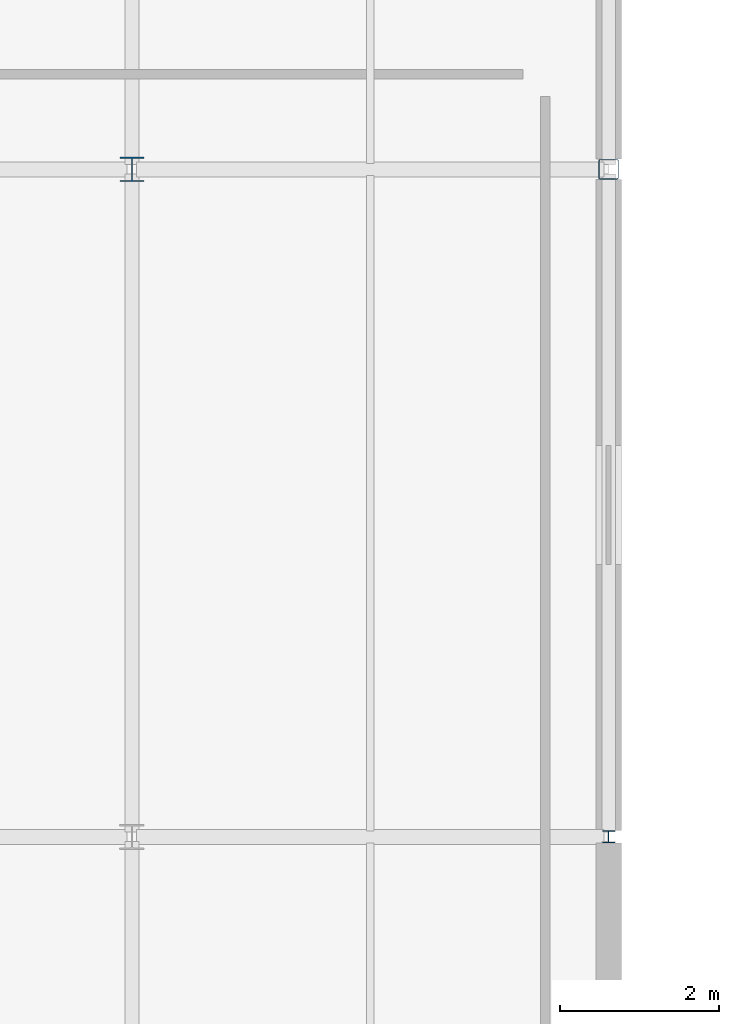
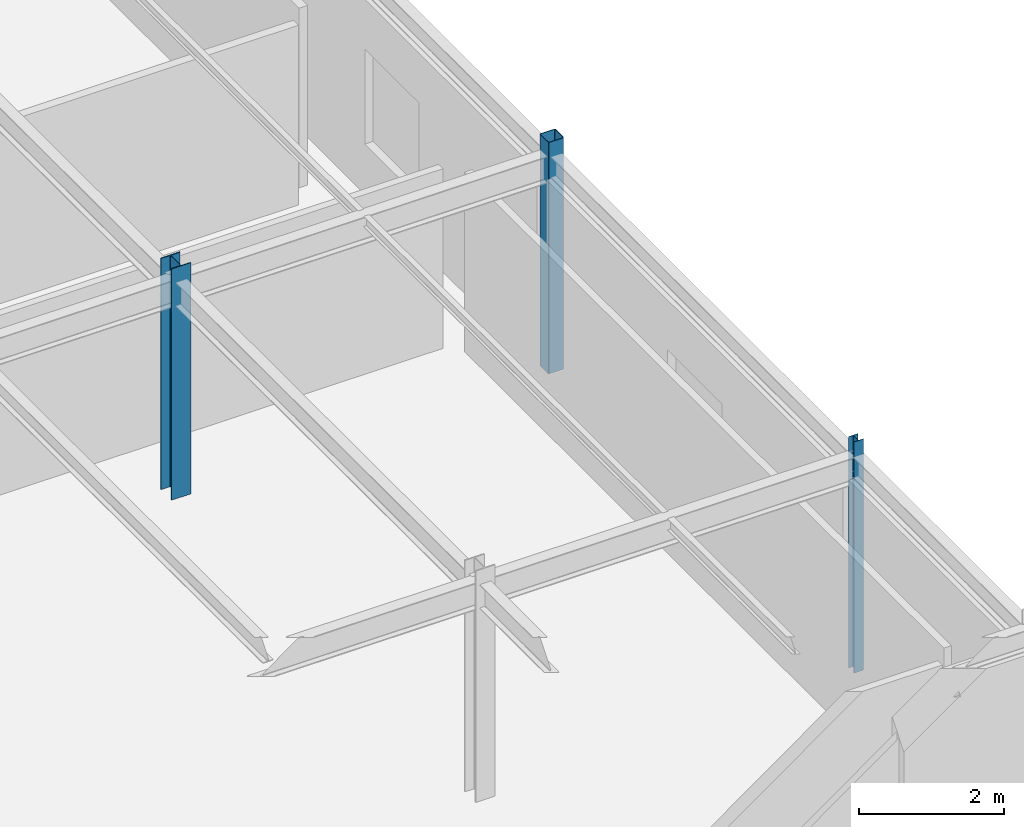
# One storey, part 34 of 98: 3 columns.
"""IFC4 building model written with IfcOpenShell, lengths in metres."""

from ifc_helpers import new_model, si_unit, derived_unit, direction, frame, origin, origin_2d_with_axis, place, context, subcontext, project, spatial, hollow_rectangle, i_section, extrude, material, material_profile, profile_set, type_object, element, save


model = new_model("IFC4")

# Units and contexts
model_context = context("Model", 3, precision=1e-05, world=origin(), true_north=direction((0.0, 1.0)))
body_context = subcontext(model_context, "Body", "Model", "MODEL_VIEW")
ifc_project = project(units=[si_unit("LENGTHUNIT", "METRE"), si_unit("AREAUNIT", "SQUARE_METRE"), si_unit("VOLUMEUNIT", "CUBIC_METRE"), si_unit("PLANEANGLEUNIT", "RADIAN"), si_unit("MASSUNIT", "GRAM", prefix="KILO"), derived_unit("THERMALTRANSMITTANCEUNIT", [(si_unit("POWERUNIT", "WATT"), 1), (si_unit("LENGTHUNIT", "METRE"), -2), (si_unit("THERMODYNAMICTEMPERATUREUNIT", "KELVIN"), -1)])], contexts=[model_context])

# Site, building, storey
site_placement = place(None, origin())
site = spatial("IfcSite", under=ifc_project, at=site_placement, CompositionType="ELEMENT")
building_placement = place(site_placement, origin())
building = spatial("IfcBuilding", under=site, at=building_placement, Name="Cinnabar Yard Market Hall", CompositionType="ELEMENT")
storey_placement = place(building_placement, frame((0.0, 0.0, 4.5)))
storey = spatial("IfcBuildingStorey", under=building, at=storey_placement, Name="L01", CompositionType="ELEMENT", Elevation=4.5)

# Columns
ifc_material_1 = material(Name="Steel Grade 300 (300 MPa)", Category="steel")
ifc_material_profile_1 = material_profile(ifc_material_1, i_section(OverallWidth=0.304931640625, OverallDepth=0.30810546875, WebThickness=0.010009765625, FlangeThickness=0.015380859375, FilletRadius=0.0166015625, at=origin_2d_with_axis()), Name="310UC96.8")
ifc_profile_set_1 = profile_set([ifc_material_profile_1], Name="Steel Grade 300 (300 MPa)")
column_type_1 = type_object("IfcColumnType", Name="COL-C09", PredefinedType="COLUMN", material=ifc_profile_set_1)
column_1_placement = place(storey_placement, frame((156.0, 121.199951171875, 0.0), z_axis=(0.0, 0.0, 1.0), x_axis=(1.0, 0.0, 0.0)))
element("IfcColumn", 1, at=column_1_placement, inside=storey, type_object=column_type_1, Name="Wing Column V3-10-03 L01", PredefinedType="COLUMN", context=body_context, shape_type="SweptSolid", body=[
    extrude(i_section(OverallWidth=0.304931640625, OverallDepth=0.30810546875, WebThickness=0.010009765625, FlangeThickness=0.015380859375, FilletRadius=0.0166015625, at=origin_2d_with_axis()), origin(), (0.0, 0.0, 1.0), 3.89990234375),
])
ifc_material_profile_2 = material_profile(ifc_material_1, i_section(OverallWidth=0.152099609375, OverallDepth=0.15234375, WebThickness=0.005859375, FlangeThickness=0.0068359375, FilletRadius=0.0087890625, at=origin_2d_with_axis()), Name="150UC23.4")
ifc_profile_set_2 = profile_set([ifc_material_profile_2], Name="Steel Grade 300 (300 MPa)")
column_type_2 = type_object("IfcColumnType", Name="COL-C19E", PredefinedType="COLUMN", material=ifc_profile_set_2)
column_2_placement = place(storey_placement, frame((162.0, 112.800048828125, 0.0), z_axis=(0.0, 0.0, 1.0), x_axis=(1.0, 0.0, 0.0)))
element("IfcColumn", 2, at=column_2_placement, inside=storey, type_object=column_type_2, Name="Wing Column V3-11-02 L01", PredefinedType="COLUMN", context=body_context, shape_type="SweptSolid", body=[
    extrude(i_section(OverallWidth=0.152099609375, OverallDepth=0.15234375, WebThickness=0.005859375, FlangeThickness=0.0068359375, FilletRadius=0.0087890625, at=origin_2d_with_axis()), origin(), (0.0, 0.0, 1.0), 3.89990234375),
])
ifc_material_2 = material(Name="Cold-formed steel C350L0", Category="steel")
ifc_material_profile_3 = material_profile(ifc_material_2, hollow_rectangle(XDim=0.25, YDim=0.25, WallThickness=0.009033203125, InnerFilletRadius=0.009033203125, OuterFilletRadius=0.01806640625, at=origin_2d_with_axis()), Name="250x250x9.0SHS")
ifc_profile_set_3 = profile_set([ifc_material_profile_3], Name="Cold-formed steel C350L0")
column_type_3 = type_object("IfcColumnType", Name="COL-C20E", PredefinedType="COLUMN", material=ifc_profile_set_3)
column_3_placement = place(storey_placement, frame((162.0, 121.199951171875, 0.0), z_axis=(0.0, 0.0, 1.0), x_axis=(1.0, 0.0, 0.0)))
element("IfcColumn", 3, at=column_3_placement, inside=storey, type_object=column_type_3, Name="Wing Column V3-11-03 L01", PredefinedType="COLUMN", context=body_context, shape_type="SweptSolid", body=[
    extrude(hollow_rectangle(XDim=0.25, YDim=0.25, WallThickness=0.009033203125, InnerFilletRadius=0.009033203125, OuterFilletRadius=0.01806640625, at=origin_2d_with_axis()), origin(), (0.0, 0.0, 1.0), 3.89990234375),
])

save(model, "model.ifc")
